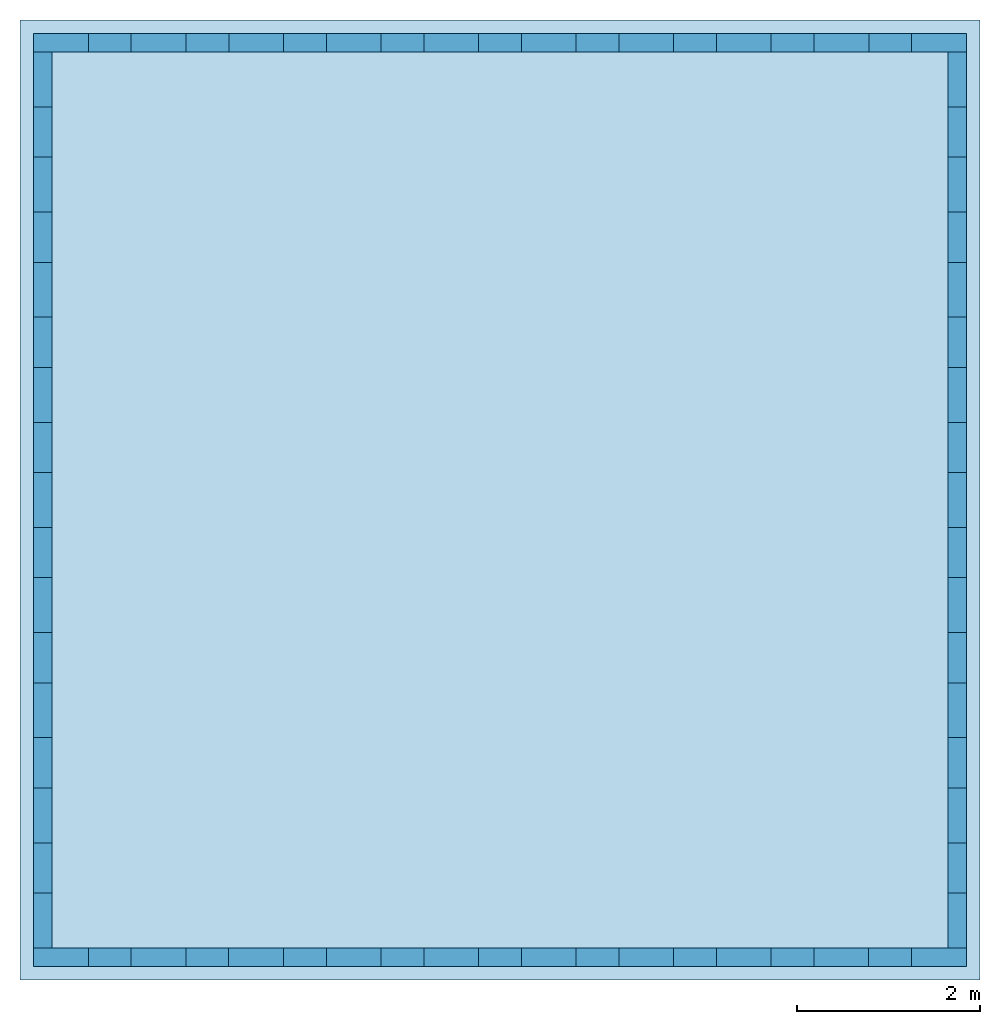
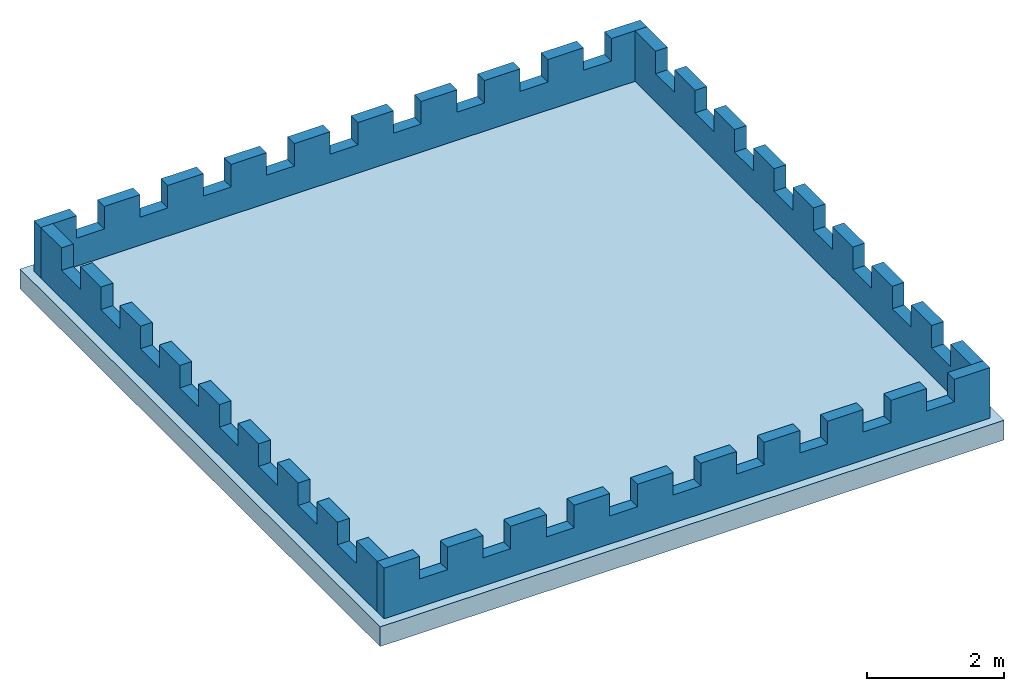
# One storey: 4 walls, 1 slab.
"""IFC4 building model written with IfcOpenShell, lengths in metres."""

import ifcopenshell
import ifcopenshell.guid

model = None  # the IFC model being written
_history = None  # IfcOwnerHistory: only IFC2X3 demands one
_inside = {}  # id of a spatial element -> (the spatial element, [elements in it])
_under = {}  # id of a project, library or spatial element -> (it, [spatial elements below it])
_declared = {}  # id of a project -> (the project, [libraries it declares])
_typed = {}  # id of a type object -> (the type object, [elements of that type])
_made_of = {}  # id of a material, layer set ... -> (it, [elements and type objects made of it])


def new_model(schema):
    """Start an empty IFC model of exactly this schema.

    Asked for "IFC4X3", IfcOpenShell would pick the latest addendum, in which some entities
    have other attributes; the version numbers below select the first issue.
    IFC2X3 requires an IfcOwnerHistory on every rooted entity: one is made here for all.
    """
    global model, _history
    if schema == "IFC4X3":
        model = ifcopenshell.file(schema_version=(4, 3, 0, 0))
    else:
        model = ifcopenshell.file(schema=schema)
    _inside.clear()
    _under.clear()
    _declared.clear()
    _typed.clear()
    _made_of.clear()
    _history = None
    if model.schema == "IFC2X3":
        org = make("IfcOrganization", Name="unknown")
        user = make(
            "IfcPersonAndOrganization",
            ThePerson=make("IfcPerson", FamilyName="unknown"),
            TheOrganization=org,
        )
        app = make(
            "IfcApplication",
            ApplicationDeveloper=org,
            Version="unknown",
            ApplicationFullName="unknown",
            ApplicationIdentifier="unknown",
        )
        _history = make(
            "IfcOwnerHistory",
            OwningUser=user,
            OwningApplication=app,
            ChangeAction="ADDED",
            CreationDate=0,
        )
    return model


def make(cls, **values):
    """One entity of the class cls with the attributes given. An attribute that is None is left unset."""
    return model.create_entity(
        cls, **{name: value for name, value in values.items() if value is not None}
    )


def rooted(cls, **values):
    """An entity with a GlobalId (a new one), such as an element, a storey or a relation."""
    return make(cls, GlobalId=ifcopenshell.guid.new(), OwnerHistory=_history, **values)


def si_unit(unit_type, name, prefix=None):
    """IfcSIUnit, for example si_unit("LENGTHUNIT", "METRE", prefix="MILLI")."""
    return make("IfcSIUnit", UnitType=unit_type, Prefix=prefix, Name=name)


def assignment(units):
    """IfcUnitAssignment: the units of a project."""
    return None if units is None else make("IfcUnitAssignment", Units=units)


def point(xyz):
    """IfcCartesianPoint."""
    return None if xyz is None else make("IfcCartesianPoint", Coordinates=xyz)


def direction(xyz):
    """IfcDirection."""
    return None if xyz is None else make("IfcDirection", DirectionRatios=xyz)


def frame(location, z_axis=None, x_axis=None):
    """IfcAxis2Placement3D, a coordinate frame: its origin and axes. An axis left out is left unset."""
    return make(
        "IfcAxis2Placement3D",
        Location=point(location),
        Axis=direction(z_axis),
        RefDirection=direction(x_axis),
    )


def origin():
    """The frame at (0, 0, 0) with its axes left unset."""
    return frame((0.0, 0.0, 0.0))


def place(relative_to, where):
    """IfcLocalPlacement: puts the frame where relative to a parent placement (None: the world)."""
    return make(
        "IfcLocalPlacement", PlacementRelTo=relative_to, RelativePlacement=where
    )


def context(
    kind, dimensions, precision=None, world=None, true_north=None, identifier=None
):
    """IfcGeometricRepresentationContext, for example the 3D "Model" context."""
    return make(
        "IfcGeometricRepresentationContext",
        ContextIdentifier=identifier,
        ContextType=kind,
        CoordinateSpaceDimension=dimensions,
        Precision=precision,
        WorldCoordinateSystem=world,
        TrueNorth=true_north,
    )


def subcontext(parent, identifier, kind, view, scale=None):
    """IfcGeometricRepresentationSubContext, for example "Body" below "Model"."""
    return make(
        "IfcGeometricRepresentationSubContext",
        ContextIdentifier=identifier,
        ContextType=kind,
        ParentContext=parent,
        TargetScale=scale,
        TargetView=view,
    )


def project(units=None, contexts=None):
    """IfcProject with its units and contexts."""
    return rooted(
        "IfcProject",
        Name="project",
        RepresentationContexts=contexts,
        UnitsInContext=assignment(units),
    )


def spatial(cls, under=None, at=None, **own):
    """A site, building, storey or space (cls), placed at a placement, below another one or the project."""
    s = rooted(cls, ObjectPlacement=at, **own)
    if under is not None:
        _under.setdefault(under.id(), (under, []))[1].append(s)
    return s


def polyline(points):
    """IfcPolyline through the points."""
    return make("IfcPolyline", Points=[point(p) for p in points])


def outline(outer, holes=None, kind="AREA"):
    """IfcArbitraryClosedProfileDef: a profile drawn as a closed curve; with holes, ...WithVoids."""
    if holes is None:
        return make("IfcArbitraryClosedProfileDef", ProfileType=kind, OuterCurve=outer)
    return make(
        "IfcArbitraryProfileDefWithVoids",
        ProfileType=kind,
        OuterCurve=outer,
        InnerCurves=holes,
    )


def extrude(swept, where, along, depth):
    """IfcExtrudedAreaSolid: the profile swept, set in the frame where, extruded along a direction by depth."""
    return make(
        "IfcExtrudedAreaSolid",
        SweptArea=swept,
        Position=where,
        ExtrudedDirection=direction(along),
        Depth=depth,
    )


def shape(context_of_items, identifier, shape_type, items):
    """IfcShapeRepresentation: the items that make up one representation, for example the "Body"."""
    return make(
        "IfcShapeRepresentation",
        ContextOfItems=context_of_items,
        RepresentationIdentifier=identifier,
        RepresentationType=shape_type,
        Items=items,
    )


def material(Name=None, Category=None):
    """IfcMaterial."""
    return make("IfcMaterial", Name=Name, Category=Category)


def layer(
    of_material, thickness, ventilated=None, Name=None, Category=None, Priority=None
):
    """IfcMaterialLayer: one layer of a wall or slab, of a material (None: an air gap)."""
    return make(
        "IfcMaterialLayer",
        Material=of_material,
        LayerThickness=thickness,
        IsVentilated=ventilated,
        Name=Name,
        Category=Category,
        Priority=Priority,
    )


def layer_set(layers, Name=None):
    """IfcMaterialLayerSet."""
    return make("IfcMaterialLayerSet", MaterialLayers=layers, LayerSetName=Name)


def made_of(thing, what):
    """Note that an element or type object is made of a material, layer set ...; save() writes the relation."""
    if what is not None:
        _made_of.setdefault(what.id(), (what, []))[1].append(thing)
    return thing


def type_object(cls, material=None, **own):
    """A type object (cls), such as IfcWallType, which elements share."""
    return made_of(rooted(cls, **own), material)


def element(
    cls,
    number,
    at=None,
    inside=None,
    cuts=None,
    type_object=None,
    material=None,
    context=None,
    identifier="Body",
    shape_type=None,
    held_by="IfcProductDefinitionShape",
    body=None,
    shapes=None,
    **own,
):
    """One element of the class cls, such as IfcWall. Its Tag is "e" and its number.

    at: its placement. inside: the storey or other place that contains it. cuts: it is an
    opening in that element (IfcRelVoidsElement). A single representation is given by context,
    identifier, shape_type and body (its items); several are given by shapes. held_by: the class
    of the entity that holds the representations. save() writes the other relations.
    """
    e = rooted(cls, Tag="e%d" % number, ObjectPlacement=at, **own)
    if body is not None:
        shapes = [shape(context, identifier, shape_type, body)]
    if shapes is not None:
        e.Representation = make(held_by, Representations=shapes)
    if inside is not None:
        _inside.setdefault(inside.id(), (inside, []))[1].append(e)
    if cuts is not None:
        rooted(
            "IfcRelVoidsElement", RelatingBuildingElement=cuts, RelatedOpeningElement=e
        )
    if type_object is not None:
        _typed.setdefault(type_object.id(), (type_object, []))[1].append(e)
    return made_of(e, material)


def aggregate(whole, parts):
    """IfcRelAggregates: a whole, such as a stair, and the parts it consists of."""
    return rooted("IfcRelAggregates", RelatingObject=whole, RelatedObjects=parts)


def save(model, path):
    """Write the relations noted so far, then the file.

    IfcRelAggregates (storeys below a building ...), IfcRelContainedInSpatialStructure (elements
    in a storey), IfcRelDefinesByType, IfcRelAssociatesMaterial and IfcRelDeclares: one each for
    every whole, place, type object, material and project.
    """
    for whole, parts in _under.values():
        aggregate(whole, parts)
    for where, things in _inside.values():
        rooted(
            "IfcRelContainedInSpatialStructure",
            RelatedElements=things,
            RelatingStructure=where,
        )
    for kind, things in _typed.values():
        rooted("IfcRelDefinesByType", RelatedObjects=things, RelatingType=kind)
    for what, things in _made_of.values():
        rooted("IfcRelAssociatesMaterial", RelatedObjects=things, RelatingMaterial=what)
    for by, libraries in _declared.values():
        rooted("IfcRelDeclares", RelatingContext=by, RelatedDefinitions=libraries)
    model.write(path)


model = new_model("IFC4")

# Units and contexts
model_context = context("Model", 3, precision=1e-05, world=origin(), true_north=direction((0.0, 1.0)))
body_context = subcontext(model_context, "Body", "Model", "MODEL_VIEW")
ifc_project = project(units=[si_unit("LENGTHUNIT", "METRE"), si_unit("AREAUNIT", "SQUARE_METRE"), si_unit("VOLUMEUNIT", "CUBIC_METRE"), si_unit("PLANEANGLEUNIT", "RADIAN"), si_unit("MASSUNIT", "GRAM", prefix="KILO")], contexts=[model_context])

# Site, building, storey
site_placement = place(None, origin())
site = spatial("IfcSite", under=ifc_project, at=site_placement, CompositionType="ELEMENT")
building_placement = place(site_placement, origin())
building = spatial("IfcBuilding", under=site, at=building_placement, Name="Baradari Gate Terminus", CompositionType="ELEMENT")
storey_placement = place(building_placement, frame((0.0, 0.0, 49.60009765625)))
storey = spatial("IfcBuildingStorey", under=building, at=storey_placement, Name="ROOF-2", CompositionType="ELEMENT", Elevation=49.60009765625)

# Slab
ifc_material_1 = material(Name="Precast concrete C40/50", Category="concrete")
ifc_layer_1 = layer(ifc_material_1, 0.35009765625)
ifc_layer_set_1 = layer_set([ifc_layer_1], Name="Precast concrete C40/50")
slab_type = type_object("IfcSlabType", Name="Clock tower roof slab CK-R 350", PredefinedType="ROOF", material=ifc_layer_set_1)
slab_placement = place(storey_placement, origin())
element("IfcSlab", 1, at=slab_placement, inside=storey, type_object=slab_type, Name="Clock tower roof slab", PredefinedType="ROOF", context=body_context, shape_type="SweptSolid", body=[
    extrude(outline(polyline([(8.25, 134.25), (18.75, 134.25), (18.75, 144.75), (8.25, 144.75), (8.25, 134.25)])), origin(), (0.0, 0.0, 1.0), 0.349853515625),
])

# Walls
ifc_material_2 = material(Name="Precast concrete C40/50", Category="concrete")
ifc_layer_2 = layer(ifc_material_2, 0.199951171875)
ifc_layer_set_2 = layer_set([ifc_layer_2], Name="Precast concrete C40/50")
wall_type = type_object("IfcWallType", Name="Clock tower merlon upstand CK-U 200", PredefinedType="SOLIDWALL", material=ifc_layer_set_2)
wall_1_placement = place(storey_placement, frame((8.39990234375, 134.5, 0.349853515625), z_axis=(0.0, 0.0, 1.0), x_axis=(1.0, 0.0, 0.0)))
element("IfcWall", 2, at=wall_1_placement, inside=storey, type_object=wall_type, Name="Clock tower merlon upstand 1", PredefinedType="SOLIDWALL", context=body_context, shape_type="SweptSolid", body=[
    extrude(outline(polyline([(10.199951171875, 0.0), (10.199951171875, 0.5), (10.199951171875, 0.5), (10.199951171875, 0.900146484375), (9.60009765625, 0.900146484375), (9.60009765625, 0.5), (9.13330078125, 0.5), (9.13330078125, 0.900146484375), (8.533203125, 0.900146484375), (8.533203125, 0.5), (8.066650390625, 0.5), (8.066650390625, 0.900146484375), (7.466796875, 0.900146484375), (7.466796875, 0.5), (7.0, 0.5), (7.0, 0.900146484375), (6.39990234375, 0.900146484375), (6.39990234375, 0.5), (5.933349609375, 0.5), (5.933349609375, 0.900146484375), (5.333251953125, 0.900146484375), (5.333251953125, 0.5), (4.86669921875, 0.5), (4.86669921875, 0.900146484375), (4.2666015625, 0.900146484375), (4.2666015625, 0.5), (3.800048828125, 0.5), (3.800048828125, 0.900146484375), (3.199951171875, 0.900146484375), (3.199951171875, 0.5), (2.7333984375, 0.5), (2.7333984375, 0.900146484375), (2.13330078125, 0.900146484375), (2.13330078125, 0.5), (1.666748046875, 0.5), (1.666748046875, 0.900146484375), (1.066650390625, 0.900146484375), (1.066650390625, 0.5), (0.60009765625, 0.5), (0.60009765625, 0.900146484375), (0.0, 0.900146484375), (0.0, 0.5), (0.0, 0.449951171875), (0.0, 0.0), (10.199951171875, 0.0)])), frame((0.0, 0.10009765625, 0.0), z_axis=(0.0, -1.0, 0.0), x_axis=(1.0, 0.0, 0.0)), (0.0, 0.0, 1.0), 0.199951171875),
])
wall_2_placement = place(storey_placement, frame((18.5, 134.60009765625, 0.349853515625), z_axis=(0.0, 0.0, 1.0), x_axis=(0.0, 1.0, 0.0)))
element("IfcWall", 3, at=wall_2_placement, inside=storey, type_object=wall_type, Name="Clock tower merlon upstand 2", PredefinedType="SOLIDWALL", context=body_context, shape_type="SweptSolid", body=[
    extrude(outline(polyline([(9.800048828125, 0.0), (9.800048828125, 0.449951171875), (9.800048828125, 0.5), (9.800048828125, 0.900146484375), (9.199951171875, 0.900146484375), (9.199951171875, 0.5), (8.64990234375, 0.5), (8.64990234375, 0.900146484375), (8.050048828125, 0.900146484375), (8.050048828125, 0.5), (7.5, 0.5), (7.5, 0.900146484375), (6.89990234375, 0.900146484375), (6.89990234375, 0.5), (6.35009765625, 0.5), (6.35009765625, 0.900146484375), (5.75, 0.900146484375), (5.75, 0.5), (5.199951171875, 0.5), (5.199951171875, 0.900146484375), (4.60009765625, 0.900146484375), (4.60009765625, 0.5), (4.050048828125, 0.5), (4.050048828125, 0.900146484375), (3.449951171875, 0.900146484375), (3.449951171875, 0.5), (2.89990234375, 0.5), (2.89990234375, 0.900146484375), (2.300048828125, 0.900146484375), (2.300048828125, 0.5), (1.75, 0.5), (1.75, 0.900146484375), (1.14990234375, 0.900146484375), (1.14990234375, 0.5), (0.60009765625, 0.5), (0.60009765625, 0.900146484375), (0.0, 0.900146484375), (0.0, 0.5), (0.0, 0.449951171875), (0.0, 0.0), (9.800048828125, 0.0)])), frame((0.0, 0.10009765625, 0.0), z_axis=(0.0, -1.0, 0.0), x_axis=(1.0, 0.0, 0.0)), (0.0, 0.0, 1.0), 0.199951171875),
])
wall_3_placement = place(storey_placement, frame((18.60009765625, 144.5, 0.349853515625), z_axis=(0.0, 0.0, 1.0), x_axis=(-1.0, 0.0, 0.0)))
element("IfcWall", 4, at=wall_3_placement, inside=storey, type_object=wall_type, Name="Clock tower merlon upstand 3", PredefinedType="SOLIDWALL", context=body_context, shape_type="SweptSolid", body=[
    extrude(outline(polyline([(10.199951171875, 0.0), (10.199951171875, 0.5), (10.199951171875, 0.5), (10.199951171875, 0.900146484375), (9.60009765625, 0.900146484375), (9.60009765625, 0.5), (9.13330078125, 0.5), (9.13330078125, 0.900146484375), (8.533203125, 0.900146484375), (8.533203125, 0.5), (8.066650390625, 0.5), (8.066650390625, 0.900146484375), (7.466796875, 0.900146484375), (7.466796875, 0.5), (7.0, 0.5), (7.0, 0.900146484375), (6.39990234375, 0.900146484375), (6.39990234375, 0.5), (5.933349609375, 0.5), (5.933349609375, 0.900146484375), (5.333251953125, 0.900146484375), (5.333251953125, 0.5), (4.86669921875, 0.5), (4.86669921875, 0.900146484375), (4.2666015625, 0.900146484375), (4.2666015625, 0.5), (3.800048828125, 0.5), (3.800048828125, 0.900146484375), (3.199951171875, 0.900146484375), (3.199951171875, 0.5), (2.7333984375, 0.5), (2.7333984375, 0.900146484375), (2.13330078125, 0.900146484375), (2.13330078125, 0.5), (1.666748046875, 0.5), (1.666748046875, 0.900146484375), (1.066650390625, 0.900146484375), (1.066650390625, 0.5), (0.60009765625, 0.5), (0.60009765625, 0.900146484375), (0.0, 0.900146484375), (0.0, 0.5), (0.0, 0.449951171875), (0.0, 0.0), (10.199951171875, 0.0)])), frame((0.0, 0.10009765625, 0.0), z_axis=(0.0, -1.0, 0.0), x_axis=(1.0, 0.0, 0.0)), (0.0, 0.0, 1.0), 0.199951171875),
])
wall_4_placement = place(storey_placement, frame((8.5, 144.39990234375, 0.349853515625), z_axis=(0.0, 0.0, 1.0), x_axis=(0.0, -1.0, 0.0)))
element("IfcWall", 5, at=wall_4_placement, inside=storey, type_object=wall_type, Name="Clock tower merlon upstand 4", PredefinedType="SOLIDWALL", context=body_context, shape_type="SweptSolid", body=[
    extrude(outline(polyline([(9.800048828125, 0.0), (9.800048828125, 0.449951171875), (9.800048828125, 0.5), (9.800048828125, 0.900146484375), (9.199951171875, 0.900146484375), (9.199951171875, 0.5), (8.64990234375, 0.5), (8.64990234375, 0.900146484375), (8.050048828125, 0.900146484375), (8.050048828125, 0.5), (7.5, 0.5), (7.5, 0.900146484375), (6.89990234375, 0.900146484375), (6.89990234375, 0.5), (6.35009765625, 0.5), (6.35009765625, 0.900146484375), (5.75, 0.900146484375), (5.75, 0.5), (5.199951171875, 0.5), (5.199951171875, 0.900146484375), (4.60009765625, 0.900146484375), (4.60009765625, 0.5), (4.050048828125, 0.5), (4.050048828125, 0.900146484375), (3.449951171875, 0.900146484375), (3.449951171875, 0.5), (2.89990234375, 0.5), (2.89990234375, 0.900146484375), (2.300048828125, 0.900146484375), (2.300048828125, 0.5), (1.75, 0.5), (1.75, 0.900146484375), (1.14990234375, 0.900146484375), (1.14990234375, 0.5), (0.60009765625, 0.5), (0.60009765625, 0.900146484375), (0.0, 0.900146484375), (0.0, 0.5), (0.0, 0.449951171875), (0.0, 0.0), (9.800048828125, 0.0)])), frame((0.0, 0.10009765625, 0.0), z_axis=(0.0, -1.0, 0.0), x_axis=(1.0, 0.0, 0.0)), (0.0, 0.0, 1.0), 0.199951171875),
])

save(model, "model.ifc")
